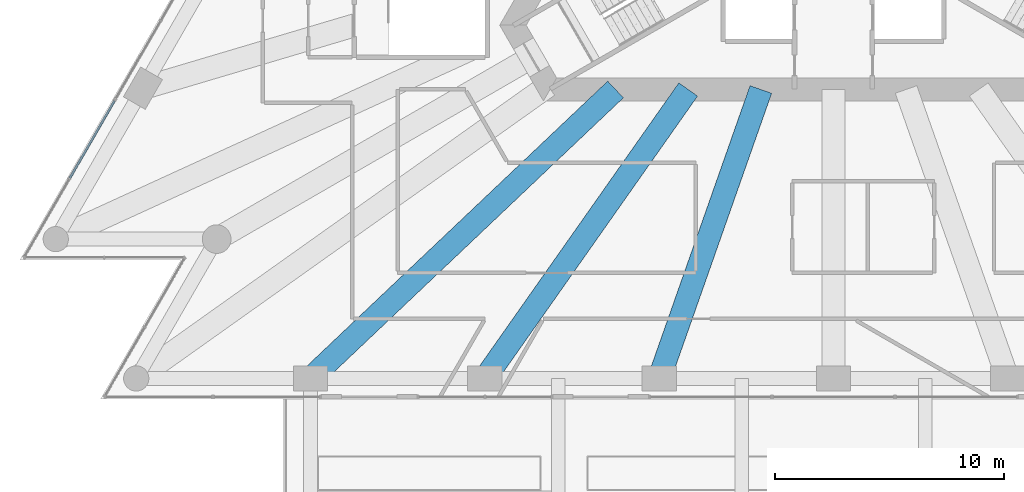
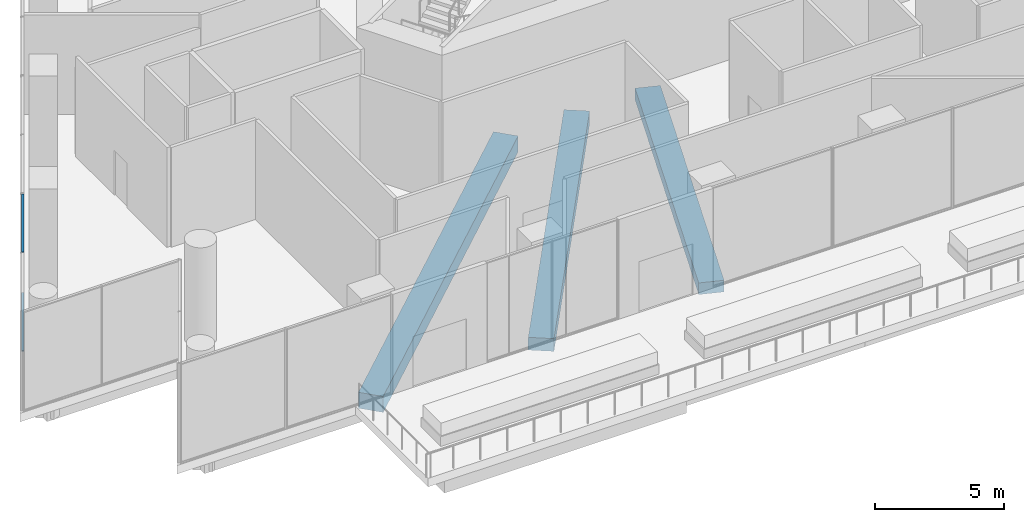
# One storey, part 5 of 28: 3 beams, 2 members, 1 element without a shape of its own.
"""IFC4 building model written with IfcOpenShell, lengths in metres."""

from ifc_helpers import new_model, si_unit, direction, frame, origin, origin_2d, place, context, subcontext, project, spatial, rectangle, extrude, material, layer, layer_set, material_profile, profile_set, type_object, element, aggregate, save


model = new_model("IFC4")

# Units and contexts
model_context = context("Model", 3, precision=1e-05, world=origin(), true_north=direction((0.0, 1.0)))
body_context = subcontext(model_context, "Body", "Model", "MODEL_VIEW")
ifc_project = project(units=[si_unit("LENGTHUNIT", "METRE"), si_unit("AREAUNIT", "SQUARE_METRE"), si_unit("VOLUMEUNIT", "CUBIC_METRE"), si_unit("PLANEANGLEUNIT", "RADIAN"), si_unit("MASSUNIT", "GRAM", prefix="KILO")], contexts=[model_context])

# Site, building, storey
site_placement = place(None, origin())
site = spatial("IfcSite", under=ifc_project, at=site_placement, CompositionType="ELEMENT")
building_placement = place(site_placement, origin())
building = spatial("IfcBuilding", under=site, at=building_placement, Name="Triada Interchange Tower", CompositionType="ELEMENT")
storey_placement = place(building_placement, frame((0.0, 0.0, 30.300048828125)))
storey = spatial("IfcBuildingStorey", under=building, at=storey_placement, Name="L05", CompositionType="ELEMENT", Elevation=30.300048828125)

# Beams
ifc_material_1 = material(Name="Concrete C50/60", Category="concrete")
ifc_material_profile_1 = material_profile(ifc_material_1, rectangle(XDim=1.0, YDim=0.550048828125, at=origin_2d()), Name="RC 1000x550")
ifc_profile_set_1 = profile_set([ifc_material_profile_1], Name="Concrete C50/60")
beam_type_1 = type_object("IfcBeamType", Name="Radial band beam P RC 1000x550", PredefinedType="BEAM", material=ifc_profile_set_1)
beam_1_placement = place(storey_placement, frame((-7.59912109375, -21.60009765625, -0.675048828125), z_axis=(0.331888742463, 0.943318537201, 0.0), x_axis=(-0.943318537201, 0.331888742463, 0.0)))
element("IfcBeam", 1, at=beam_1_placement, inside=storey, type_object=beam_type_1, Name="Radial band beam BP14 L05", PredefinedType="BEAM", context=body_context, shape_type="SweptSolid", body=[
    extrude(rectangle(XDim=1.0, YDim=0.550048828125, at=origin_2d()), origin(), (0.0, 0.0, 1.0), 13.357177734375),
])
ifc_material_profile_2 = material_profile(ifc_material_1, rectangle(XDim=1.0, YDim=0.60009765625, at=origin_2d()), Name="RC 1000x600")
ifc_profile_set_2 = profile_set([ifc_material_profile_2], Name="Concrete C50/60")
beam_type_2 = type_object("IfcBeamType", Name="Radial band beam P RC 1000x600", PredefinedType="BEAM", material=ifc_profile_set_2)
beam_2_placement = place(storey_placement, frame((-15.197998046875, -21.60009765625, -0.699951171875), z_axis=(0.575460041142, 0.81782989738, 0.0), x_axis=(-0.81782989738, 0.575460041142, 0.0)))
element("IfcBeam", 2, at=beam_2_placement, inside=storey, type_object=beam_type_2, Name="Radial band beam BP13 L05", PredefinedType="BEAM", context=body_context, shape_type="SweptSolid", body=[
    extrude(rectangle(XDim=1.0, YDim=0.60009765625, at=origin_2d()), origin(), (0.0, 0.0, 1.0), 15.40673828125),
])
ifc_material_profile_3 = material_profile(ifc_material_1, rectangle(XDim=1.0, YDim=0.75, at=origin_2d()), Name="RC 1000x750")
ifc_profile_set_3 = profile_set([ifc_material_profile_3], Name="Concrete C50/60")
beam_type_3 = type_object("IfcBeamType", Name="Radial band beam P RC 1000x750", PredefinedType="BEAM", material=ifc_profile_set_3)
beam_3_placement = place(storey_placement, frame((-22.798095703125, -21.60009765625, -0.775146484375), z_axis=(0.725926069578, 0.687772739723, 0.0), x_axis=(-0.687772739723, 0.725926069578, 0.0)))
element("IfcBeam", 3, at=beam_3_placement, inside=storey, type_object=beam_type_3, Name="Radial band beam BP12 L05", PredefinedType="BEAM", context=body_context, shape_type="SweptSolid", body=[
    extrude(rectangle(XDim=1.0, YDim=0.75, at=origin_2d()), origin(), (0.0, 0.0, 1.0), 18.320068359375),
])

# Curtain wall, members
ifc_material_2 = material(Name="Aluminium framed glazing", Category="aluminium")
ifc_layer = layer(ifc_material_2, 0.199951171875)
ifc_layer_set = layer_set([ifc_layer], Name="Curtain wall Winter garden glazing")
curtain_wall_type = type_object("IfcCurtainWallType", Name="Curtain wall Winter garden glazing", PredefinedType="NOTDEFINED", material=ifc_layer_set)
curtain_wall_placement = place(storey_placement, origin())
curtain_wall = element("IfcCurtainWall", 4, at=curtain_wall_placement, inside=storey, type_object=curtain_wall_type, Name="Winter garden glazing CW029 L05", PredefinedType="NOTDEFINED")
ifc_material_3 = material(Name="Aluminium", Category="aluminium")
ifc_material_profile_4 = material_profile(ifc_material_3, rectangle(XDim=0.10009765625, YDim=0.050048828125, at=origin_2d()), Name="Aluminium transom")
ifc_profile_set_4 = profile_set([ifc_material_profile_4], Name="Aluminium")
member_type = type_object("IfcMemberType", Name="Transom Winter garden glazing 100x50", PredefinedType="USERDEFINED", material=ifc_profile_set_4)
member_1_placement = place(storey_placement, frame((-31.345947265625, -9.4912109375, 0.02490234375), z_axis=(-0.499961171201, -0.866047820441, 0.0), x_axis=(0.866047820441, -0.499961171201, 0.0)))
member_1 = element("IfcMember", 5, at=member_1_placement, type_object=member_type, Name="CW029 transom 1.1", ObjectType="TRANSOM", PredefinedType="USERDEFINED", context=body_context, shape_type="SweptSolid", body=[
    extrude(rectangle(XDim=0.10009765625, YDim=0.050048828125, at=origin_2d()), origin(), (0.0, 0.0, 1.0), 3.895263671875),
])
member_2_placement = place(storey_placement, frame((-31.345947265625, -9.4912109375, 4.675048828125), z_axis=(-0.499961171201, -0.866047820441, 0.0), x_axis=(0.866047820441, -0.499961171201, 0.0)))
member_2 = element("IfcMember", 6, at=member_2_placement, type_object=member_type, Name="CW029 transom 1.2", ObjectType="TRANSOM", PredefinedType="USERDEFINED", context=body_context, shape_type="SweptSolid", body=[
    extrude(rectangle(XDim=0.10009765625, YDim=0.050048828125, at=origin_2d()), origin(), (0.0, 0.0, 1.0), 3.895263671875),
])
aggregate(curtain_wall, [member_1, member_2])

save(model, "model.ifc")
